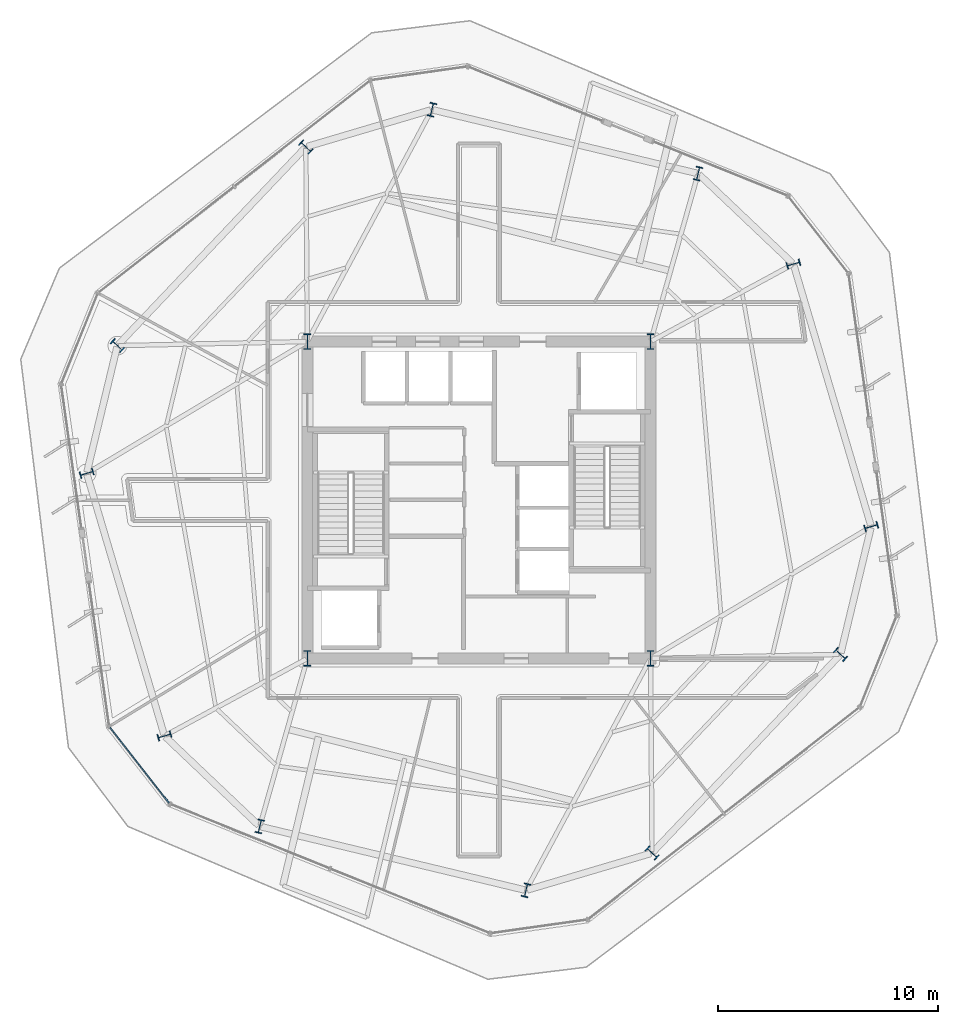
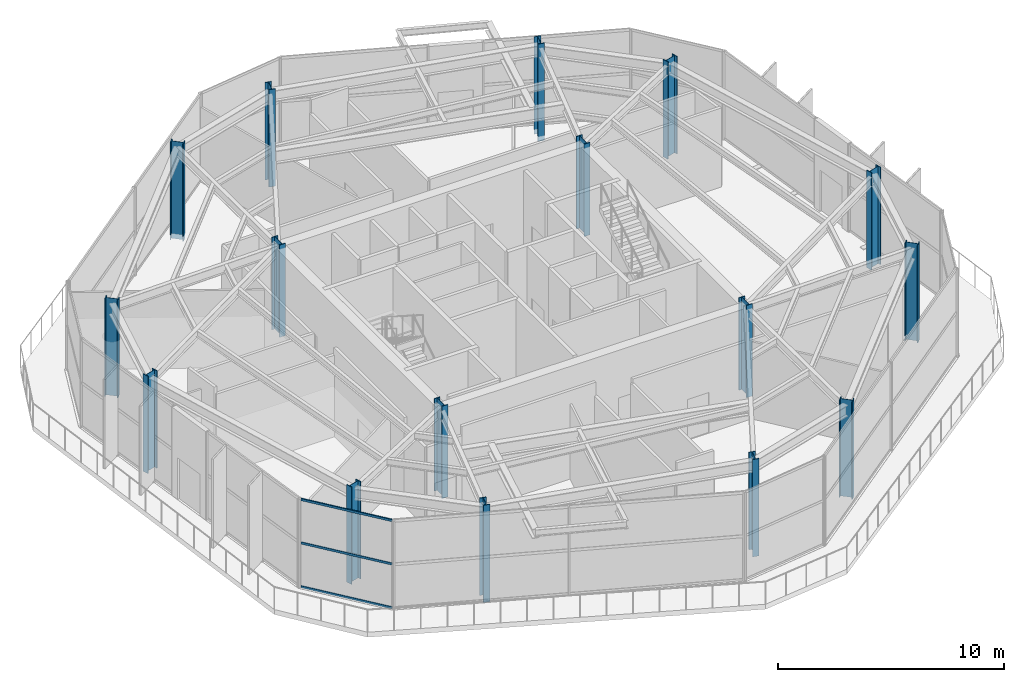
# One storey, part 1 of 14: 16 columns, 3 members, 1 element without a shape of its own.
"""IFC4 building model written with IfcOpenShell, lengths in metres."""

from ifc_helpers import new_model, si_unit, direction, frame, origin, origin_2d, place, context, subcontext, project, spatial, rectangle, i_section, extrude, material, layer, layer_set, material_profile, profile_set, type_object, element, aggregate, save


model = new_model("IFC4")

# Units and contexts
model_context = context("Model", 3, precision=1e-05, world=origin(), true_north=direction((0.0, 1.0)))
body_context = subcontext(model_context, "Body", "Model", "MODEL_VIEW")
ifc_project = project(units=[si_unit("LENGTHUNIT", "METRE"), si_unit("AREAUNIT", "SQUARE_METRE"), si_unit("VOLUMEUNIT", "CUBIC_METRE"), si_unit("PLANEANGLEUNIT", "RADIAN"), si_unit("MASSUNIT", "GRAM", prefix="KILO")], contexts=[model_context])

# Site, building, storey
site_placement = place(None, origin())
site = spatial("IfcSite", under=ifc_project, at=site_placement, CompositionType="ELEMENT")
building_placement = place(site_placement, origin())
building = spatial("IfcBuilding", under=site, at=building_placement, Name="Kranzbogen Civic Tower", CompositionType="ELEMENT")
storey_placement = place(building_placement, frame((0.0, 0.0, 175.800048828125)))
storey = spatial("IfcBuildingStorey", under=building, at=storey_placement, Name="L42", CompositionType="ELEMENT", Elevation=175.800048828125)

# Columns
ifc_material_1 = material(Name="Steel S355", Category="steel")
ifc_material_profile_1 = material_profile(ifc_material_1, i_section(OverallWidth=0.304931640625, OverallDepth=0.6201171875, WebThickness=0.02099609375, FlangeThickness=0.0400390625, at=origin_2d()), Name="HEM 600")
ifc_profile_set_1 = profile_set([ifc_material_profile_1], Name="Steel S355")
column_type_1 = type_object("IfcColumnType", Name="Structural Column HEM 600", PredefinedType="COLUMN", material=ifc_profile_set_1)
for number, where, z_axis, x_axis, name in (
    (1, (34.9609375, 39.8349609375, -0.27001953125), (0.0, 0.0, 1.0), (-0.972369920398, 0.233445363856, 0.0), "L42 tower perimeter tube column 01"),
    (2, (22.860107421875, 42.739990234375, -0.27001953125), (0.0, 0.0, 1.0), (-0.972369920398, 0.233445363856, 0.0), "L42 tower perimeter tube column 02"),
    (3, (17.133056640625, 41.0439453125, -0.27001953125), (0.0, 0.0, 1.0), (0.688354575694, 0.725374371012, 0.0), "L42 tower perimeter tube column 03"),
    (4, (8.56689453125, 32.01611328125, -0.27001953125), (0.0, 0.0, 1.0), (0.688354575694, 0.725374371012, 0.0), "L42 tower perimeter tube column 04"),
    (5, (7.172119140625, 26.208984375, -0.27001953125), (0.0, 0.0, 1.0), (-0.284015344704, 0.958819734868, 0.0), "L42 tower perimeter tube column 05"),
    (6, (10.70703125, 14.27587890625, -0.27001953125), (0.0, 0.0, 1.0), (-0.284015344704, 0.958819734868, 0.0), "L42 tower perimeter tube column 06"),
    (7, (15.0390625, 10.1650390625, -0.27001953125), (0.0, 0.0, 1.0), (-0.972369920398, 0.233445363856, 0.0), "L42 tower perimeter tube column 07"),
    (8, (27.139892578125, 7.260009765625, -0.27001953125), (0.0, 0.0, 1.0), (-0.972369920398, 0.233445363856, 0.0), "L42 tower perimeter tube column 08"),
    (9, (32.866943359375, 8.9560546875, -0.27001953125), (0.0, 0.0, 1.0), (0.688354575694, 0.725374371012, 0.0), "L42 tower perimeter tube column 09"),
    (10, (41.43310546875, 17.98388671875, -0.27001953125), (0.0, 0.0, 1.0), (0.688354575694, 0.725374371012, 0.0), "L42 tower perimeter tube column 10"),
    (11, (42.827880859375, 23.791015625, -0.27001953125), (0.0, 0.0, 1.0), (-0.284015344704, 0.958819734868, 0.0), "L42 tower perimeter tube column 11"),
    (12, (39.29296875, 35.72412109375, -0.27001953125), (0.0, 0.0, 1.0), (-0.284015344704, 0.958819734868, 0.0), "L42 tower perimeter tube column 12"),
):
    element("IfcColumn", number, at=place(storey_placement, frame(where, z_axis=z_axis, x_axis=x_axis)), inside=storey, type_object=column_type_1, Name=name, PredefinedType="COLUMN", context=body_context, shape_type="SweptSolid", body=[
        extrude(i_section(OverallWidth=0.304931640625, OverallDepth=0.6201171875, WebThickness=0.02099609375, FlangeThickness=0.0400390625, at=origin_2d()), origin(), (0.0, 0.0, 1.0), 5.27001953125),
    ])
ifc_material_2 = material(Name="Steel S460", Category="steel")
ifc_material_profile_2 = material_profile(ifc_material_2, i_section(OverallWidth=0.303955078125, OverallDepth=0.716064453125, WebThickness=0.02099609375, FlangeThickness=0.0400390625, at=origin_2d()), Name="HEM 700")
ifc_profile_set_2 = profile_set([ifc_material_profile_2], Name="Steel S460")
column_type_2 = type_object("IfcColumnType", Name="Structural Column HEM 700", PredefinedType="COLUMN", material=ifc_profile_set_2)
for number, where, z_axis, x_axis, name in (
    (13, (17.199951171875, 17.800048828125, 0.0), (0.0, 0.0, 1.0), (1.0, 0.0, 0.0), "L42 composite core corner column 1"),
    (14, (32.800048828125, 17.800048828125, 0.0), (0.0, 0.0, 1.0), (1.0, 0.0, 0.0), "L42 composite core corner column 2"),
    (15, (32.800048828125, 32.199951171875, 0.0), (0.0, 0.0, 1.0), (1.0, 0.0, 0.0), "L42 composite core corner column 3"),
    (16, (17.199951171875, 32.199951171875, 0.0), (0.0, 0.0, 1.0), (1.0, 0.0, 0.0), "L42 composite core corner column 4"),
):
    element("IfcColumn", number, at=place(storey_placement, frame(where, z_axis=z_axis, x_axis=x_axis)), inside=storey, type_object=column_type_2, Name=name, PredefinedType="COLUMN", context=body_context, shape_type="SweptSolid", body=[
        extrude(i_section(OverallWidth=0.303955078125, OverallDepth=0.716064453125, WebThickness=0.02099609375, FlangeThickness=0.0400390625, at=origin_2d()), origin(), (0.0, 0.0, 1.0), 5.0),
    ])

# Curtain wall, members
ifc_material_3 = material(Name="Pale Anodised Aluminium", Category="aluminium")
ifc_layer = layer(ifc_material_3, 0.219970703125, Name="Pale Anodised Aluminium")
ifc_layer_set = layer_set([ifc_layer], Name="Pale Anodised Aluminium")
curtain_wall_type = type_object("IfcCurtainWallType", Name="Chamfer Facet Stick Curtain Wall System CW-06", PredefinedType="USERDEFINED", material=ifc_layer_set)
curtain_wall_placement = place(storey_placement, origin())
curtain_wall = element("IfcCurtainWall", 17, at=curtain_wall_placement, inside=storey, type_object=curtain_wall_type, Name="L42 curtain wall CW-L42-C3", ObjectType="STICK CURTAIN WALL", PredefinedType="USERDEFINED")
ifc_material_profile_3 = material_profile(ifc_material_3, rectangle(XDim=0.06005859375, YDim=0.1201171875, at=origin_2d()), Name="ALU-T 60x120")
ifc_profile_set_3 = profile_set([ifc_material_profile_3], Name="Pale Anodised Aluminium")
member_type = type_object("IfcMemberType", Name="Curtain Wall Transom ALU-T 60x120", PredefinedType="USERDEFINED", material=ifc_profile_set_3)
member_1_placement = place(storey_placement, frame((8.23388671875, 14.65966796875, 0.030029296875), z_axis=(0.61571159356, -0.787971594384, 0.0), x_axis=(0.787971594384, 0.61571159356, 0.0)))
member_1 = element("IfcMember", 18, at=member_1_placement, type_object=member_type, Name="CW-06 transom 1.1", ObjectType="TRANSOM", PredefinedType="USERDEFINED", context=body_context, shape_type="SweptSolid", body=[
    extrude(rectangle(XDim=0.06005859375, YDim=0.1201171875, at=origin_2d()), origin(), (0.0, 0.0, 1.0), 4.34814453125),
])
member_2_placement = place(storey_placement, frame((8.23388671875, 14.65966796875, 2.39990234375), z_axis=(0.61571159356, -0.787971594384, 0.0), x_axis=(0.787971594384, 0.61571159356, 0.0)))
member_2 = element("IfcMember", 19, at=member_2_placement, type_object=member_type, Name="CW-06 transom 1.2", ObjectType="TRANSOM", PredefinedType="USERDEFINED", context=body_context, shape_type="SweptSolid", body=[
    extrude(rectangle(XDim=0.06005859375, YDim=0.1201171875, at=origin_2d()), origin(), (0.0, 0.0, 1.0), 4.34814453125),
])
member_3_placement = place(storey_placement, frame((8.23388671875, 14.65966796875, 4.75), z_axis=(0.61571159356, -0.787971594384, 0.0), x_axis=(0.787971594384, 0.61571159356, 0.0)))
member_3 = element("IfcMember", 20, at=member_3_placement, type_object=member_type, Name="CW-06 transom 1.3", ObjectType="TRANSOM", PredefinedType="USERDEFINED", context=body_context, shape_type="SweptSolid", body=[
    extrude(rectangle(XDim=0.06005859375, YDim=0.1201171875, at=origin_2d()), origin(), (0.0, 0.0, 1.0), 4.34814453125),
])
aggregate(curtain_wall, [member_1, member_2, member_3])

save(model, "model.ifc")
